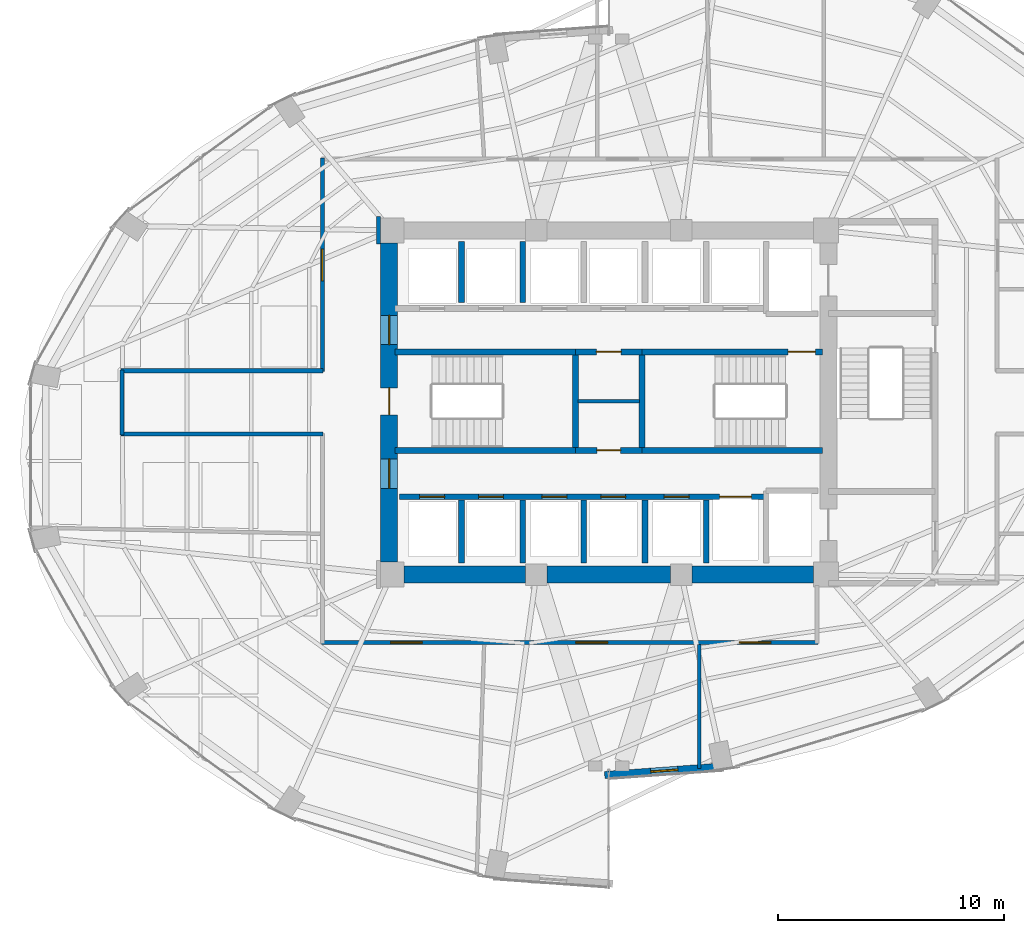
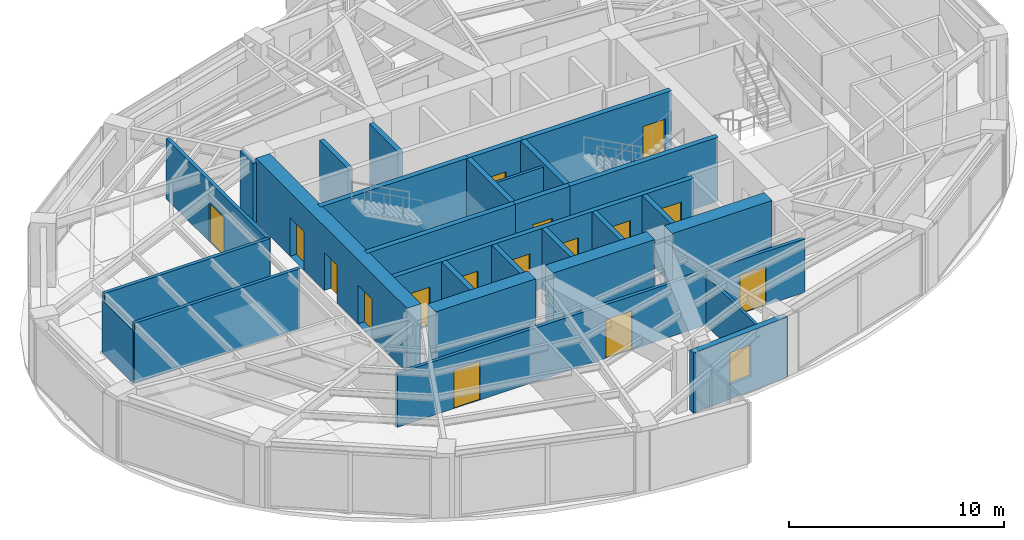
# One storey, part 20 of 24: 29 walls, 16 doors, 1 window, 17 openings.
"""IFC4 building model written with IfcOpenShell, lengths in metres."""

from ifc_helpers import new_model, si_unit, direction, frame, frame_2d, origin, place, context, subcontext, project, spatial, rectangle, extrude, material, layer, layer_set, type_object, element, fill, save


model = new_model("IFC4")

# Units and contexts
model_context = context("Model", 3, precision=1e-05, world=origin(), true_north=direction((0.0, 1.0)))
body_context = subcontext(model_context, "Body", "Model", "MODEL_VIEW")
ifc_project = project(units=[si_unit("LENGTHUNIT", "METRE"), si_unit("AREAUNIT", "SQUARE_METRE"), si_unit("VOLUMEUNIT", "CUBIC_METRE"), si_unit("PLANEANGLEUNIT", "RADIAN"), si_unit("MASSUNIT", "GRAM", prefix="KILO")], contexts=[model_context])

# Site, building, storey
site_placement = place(None, origin())
site = spatial("IfcSite", under=ifc_project, at=site_placement, CompositionType="ELEMENT")
building_placement = place(site_placement, origin())
building = spatial("IfcBuilding", under=site, at=building_placement, Name="Lazwardi Medical Tower", CompositionType="ELEMENT")
storey_placement = place(building_placement, frame((0.0, 0.0, 103.632080078125)))
storey = spatial("IfcBuildingStorey", under=building, at=storey_placement, Name="L26", CompositionType="ELEMENT", Elevation=103.632080078125)

# Walls
ifc_material_1 = material(Name="Fire-rated gypsum board on steel stud", Category="steel")
ifc_layer_1 = layer(ifc_material_1, 0.179931640625)
ifc_layer_set_1 = layer_set([ifc_layer_1], Name="Fire-rated gypsum board on steel stud")
wall_type_1 = type_object("IfcWallType", Name="WL-COR-180", PredefinedType="PARTITIONING", material=ifc_layer_set_1)
wall_1_placement = place(storey_placement, frame((14.5, 26.56005859375, 0.0), z_axis=(0.0, 0.0, 1.0), x_axis=(0.0, 1.0, 0.0)))
element("IfcWall", 1, at=wall_1_placement, inside=storey, type_object=wall_type_1, Name="L26 Corridor partition 1", PredefinedType="PARTITIONING", context=body_context, shape_type="SweptSolid", body=[
    extrude(rectangle(XDim=2.8798828125, YDim=0.179931640625, at=frame_2d((1.43994140625, 0.0))), origin(), (0.0, 0.0, 1.0), 3.012939453125),
])
wall_2_placement = place(storey_placement, frame((14.4599609375, 29.39990234375, 0.0), z_axis=(0.0, 0.0, 1.0), x_axis=(1.0, 0.0, 0.0)))
element("IfcWall", 2, at=wall_2_placement, inside=storey, type_object=wall_type_1, Name="L26 Corridor partition 2", PredefinedType="PARTITIONING", context=body_context, shape_type="SweptSolid", body=[
    extrude(rectangle(XDim=8.929931640625, YDim=0.179931640625, at=frame_2d((4.46484375, 0.0))), origin(), (0.0, 0.0, 1.0), 3.427978515625),
])

# Wall, opening, door
wall_3_placement = place(storey_placement, frame((23.35009765625, 29.360107421875, 0.0), z_axis=(0.0, 0.0, 1.0), x_axis=(0.0, 1.0, 0.0)))
wall_3 = element("IfcWall", 3, at=wall_3_placement, inside=storey, type_object=wall_type_1, Name="L26 Corridor partition 3", PredefinedType="PARTITIONING", context=body_context, shape_type="SweptSolid", body=[
    extrude(rectangle(XDim=9.429931640625, YDim=0.179931640625, at=frame_2d((4.71484375, 0.0))), origin(), (0.0, 0.0, 1.0), 3.427978515625),
])
opening_1_placement = place(wall_3_placement, frame((4.014892578125, 0.0, 0.0)))
opening_1 = element("IfcOpeningElement", 4, at=opening_1_placement, cuts=wall_3, Name="Opening D-L26-016", PredefinedType="OPENING", context=body_context, shape_type="SweptSolid", body=[
    extrude(rectangle(XDim=1.39990234375, YDim=2.199951171875, at=frame_2d((0.699951171875, 1.10009765625))), frame((0.0, 0.099853515625, 0.0), z_axis=(0.0, -1.0, 0.0), x_axis=(1.0, 0.0, 0.0)), (0.0, 0.0, 1.0), 0.199951171875),
])
ifc_material_2 = material(Name="Anti-microbial laminate hospital leaf")
door_type_1 = type_object("IfcDoorType", Name="DR-BED-1400", OperationType="NOTDEFINED", PredefinedType="DOOR", material=ifc_material_2)
door_1_placement = place(opening_1_placement, origin())
door_1 = element("IfcDoor", 5, at=door_1_placement, inside=storey, type_object=door_type_1, Name="L26 Patient Day Lounge Door 10", OperationType="SINGLE_SWING_RIGHT", OverallHeight=2.199951171875, OverallWidth=1.39990234375, PredefinedType="DOOR", context=body_context, shape_type="SweptSolid", body=[
    extrude(rectangle(XDim=1.39990234375, YDim=2.199951171875, at=frame_2d((0.699951171875, 1.10009765625))), frame((0.0, 0.02490234375, 0.0), z_axis=(0.0, -1.0, 0.0), x_axis=(1.0, 0.0, 0.0)), (0.0, 0.0, 1.0), 0.050048828125),
])
fill(opening_1, door_1)

# Wall
wall_4_placement = place(storey_placement, frame((25.830078125, 36.2099609375, 0.0), z_axis=(0.0, 0.0, 1.0), x_axis=(0.0, -1.0, 0.0)))
element("IfcWall", 6, at=wall_4_placement, inside=storey, type_object=wall_type_1, Name="L26 Corridor partition 11", PredefinedType="PARTITIONING", context=body_context, shape_type="SweptSolid", body=[
    extrude(rectangle(XDim=1.219970703125, YDim=0.179931640625, at=frame_2d((0.60986328125, 0.0))), origin(), (0.0, 0.0, 1.0), 3.427978515625),
])

# Wall, openings, doors
wall_5_placement = place(storey_placement, frame((45.239990234375, 17.39990234375, 0.0), z_axis=(0.0, 0.0, 1.0), x_axis=(-1.0, 0.0, 0.0)))
wall_5 = element("IfcWall", 7, at=wall_5_placement, inside=storey, type_object=wall_type_1, Name="L26 Corridor partition 14", PredefinedType="PARTITIONING", context=body_context, shape_type="SweptSolid", body=[
    extrude(rectangle(XDim=21.929931640625, YDim=0.179931640625, at=frame_2d((10.96484375, 0.0))), origin(), (0.0, 0.0, 1.0), 3.052978515625),
])
opening_2_placement = place(wall_5_placement, frame((17.477294921875, 0.0, 0.0)))
opening_2 = element("IfcOpeningElement", 8, at=opening_2_placement, cuts=wall_5, Name="Opening D-L26-007", PredefinedType="OPENING", context=body_context, shape_type="SweptSolid", body=[
    extrude(rectangle(XDim=1.39990234375, YDim=2.199951171875, at=frame_2d((0.699951171875, 1.10009765625))), frame((0.0, 0.099853515625, 0.0), z_axis=(0.0, -1.0, 0.0), x_axis=(1.0, 0.0, 0.0)), (0.0, 0.0, 1.0), 0.199951171875),
])
opening_3_placement = place(wall_5_placement, frame((9.291259765625, 0.0, 0.0)))
opening_3 = element("IfcOpeningElement", 9, at=opening_3_placement, cuts=wall_5, Name="Opening D-L26-008", PredefinedType="OPENING", context=body_context, shape_type="SweptSolid", body=[
    extrude(rectangle(XDim=1.39990234375, YDim=2.199951171875, at=frame_2d((0.699951171875, 1.10009765625))), frame((0.0, 0.099853515625, 0.0), z_axis=(0.0, -1.0, 0.0), x_axis=(1.0, 0.0, 0.0)), (0.0, 0.0, 1.0), 0.199951171875),
])
opening_4_placement = place(wall_5_placement, frame((2.0791015625, 0.0, 0.0)))
opening_4 = element("IfcOpeningElement", 10, at=opening_4_placement, cuts=wall_5, Name="Opening D-L26-009", PredefinedType="OPENING", context=body_context, shape_type="SweptSolid", body=[
    extrude(rectangle(XDim=1.39990234375, YDim=2.199951171875, at=frame_2d((0.699951171875, 1.10009765625))), frame((0.0, 0.099853515625, 0.0), z_axis=(0.0, -1.0, 0.0), x_axis=(1.0, 0.0, 0.0)), (0.0, 0.0, 1.0), 0.199951171875),
])
door_2_placement = place(opening_2_placement, origin())
door_2 = element("IfcDoor", 11, at=door_2_placement, inside=storey, type_object=door_type_1, Name="L26 Patient Day Lounge Door 01", OperationType="SINGLE_SWING_LEFT", OverallHeight=2.199951171875, OverallWidth=1.39990234375, PredefinedType="DOOR", context=body_context, shape_type="SweptSolid", body=[
    extrude(rectangle(XDim=1.39990234375, YDim=2.199951171875, at=frame_2d((0.699951171875, 1.10009765625))), frame((0.0, 0.02490234375, 0.0), z_axis=(0.0, -1.0, 0.0), x_axis=(1.0, 0.0, 0.0)), (0.0, 0.0, 1.0), 0.050048828125),
])
fill(opening_2, door_2)
door_3_placement = place(opening_3_placement, origin())
door_3 = element("IfcDoor", 12, at=door_3_placement, inside=storey, type_object=door_type_1, Name="L26 Rehabilitation Gymnasium Door 02", OperationType="SINGLE_SWING_RIGHT", OverallHeight=2.199951171875, OverallWidth=1.39990234375, PredefinedType="DOOR", context=body_context, shape_type="SweptSolid", body=[
    extrude(rectangle(XDim=1.39990234375, YDim=2.199951171875, at=frame_2d((0.699951171875, 1.10009765625))), frame((0.0, 0.02490234375, 0.0), z_axis=(0.0, -1.0, 0.0), x_axis=(1.0, 0.0, 0.0)), (0.0, 0.0, 1.0), 0.050048828125),
])
fill(opening_3, door_3)
door_4_placement = place(opening_4_placement, origin())
door_4 = element("IfcDoor", 13, at=door_4_placement, inside=storey, type_object=door_type_1, Name="L26 Department Reception Foyer Door 03", OperationType="SINGLE_SWING_LEFT", OverallHeight=2.199951171875, OverallWidth=1.39990234375, PredefinedType="DOOR", context=body_context, shape_type="SweptSolid", body=[
    extrude(rectangle(XDim=1.39990234375, YDim=2.199951171875, at=frame_2d((0.699951171875, 1.10009765625))), frame((0.0, 0.02490234375, 0.0), z_axis=(0.0, -1.0, 0.0), x_axis=(1.0, 0.0, 0.0)), (0.0, 0.0, 1.0), 0.050048828125),
])
fill(opening_4, door_4)

# Wall
wall_6_placement = place(storey_placement, frame((23.389892578125, 26.60009765625, 0.0), z_axis=(0.0, 0.0, 1.0), x_axis=(-1.0, 0.0, 0.0)))
element("IfcWall", 14, at=wall_6_placement, inside=storey, type_object=wall_type_1, Name="L26 Corridor partition 16", PredefinedType="PARTITIONING", context=body_context, shape_type="SweptSolid", body=[
    extrude(rectangle(XDim=8.929931640625, YDim=0.179931640625, at=frame_2d((4.46484375, 0.0))), origin(), (0.0, 0.0, 1.0), 3.427978515625),
])

# Wall, openings, doors
ifc_material_3 = material(Name="Concrete C70/85", Category="concrete")
ifc_layer_2 = layer(ifc_material_3, 0.75)
ifc_layer_set_2 = layer_set([ifc_layer_2], Name="Concrete C70/85")
wall_type_2 = type_object("IfcWallType", Name="WL-CORE-750", PredefinedType="SHEAR", material=ifc_layer_set_2)
wall_7_placement = place(storey_placement, frame((26.300048828125, 20.949951171875, 0.0), z_axis=(0.0, 0.0, 1.0), x_axis=(0.0, 1.0, 0.0)))
wall_7 = element("IfcWall", 15, at=wall_7_placement, inside=storey, type_object=wall_type_2, Name="Core wall CW-S2 west L26", PredefinedType="SHEAR", context=body_context, shape_type="SweptSolid", body=[
    extrude(rectangle(XDim=14.10009765625, YDim=0.75, at=frame_2d((7.050048828125, 0.0))), origin(), (0.0, 0.0, 1.0), 3.64794921875),
])
opening_5_placement = place(wall_7_placement, frame((6.5, 0.0, 0.0)))
opening_5 = element("IfcOpeningElement", 16, at=opening_5_placement, cuts=wall_7, Name="Opening D-L26-017", PredefinedType="OPENING", context=body_context, shape_type="SweptSolid", body=[
    extrude(rectangle(XDim=1.199951171875, YDim=2.14990234375, at=frame_2d((0.60009765625, 1.074951171875))), frame((0.0, 0.385009765625, 0.0), z_axis=(0.0, -1.0, 0.0), x_axis=(1.0, 0.0, 0.0)), (0.0, 0.0, 1.0), 0.77001953125),
])
opening_6_placement = place(wall_7_placement, frame((9.60009765625, 0.0, 0.0)))
opening_6 = element("IfcOpeningElement", 17, at=opening_6_placement, cuts=wall_7, Name="Opening D-L26-005", PredefinedType="OPENING", context=body_context, shape_type="SweptSolid", body=[
    extrude(rectangle(XDim=1.300048828125, YDim=2.199951171875, at=frame_2d((0.64990234375, 1.10009765625))), frame((0.0, 0.385009765625, 0.0), z_axis=(0.0, -1.0, 0.0), x_axis=(1.0, 0.0, 0.0)), (0.0, 0.0, 1.0), 0.77001953125),
])
opening_7_placement = place(wall_7_placement, frame((3.260009765625, 0.0, 0.0)))
opening_7 = element("IfcOpeningElement", 18, at=opening_7_placement, cuts=wall_7, Name="Opening D-L26-006", PredefinedType="OPENING", context=body_context, shape_type="SweptSolid", body=[
    extrude(rectangle(XDim=1.300048828125, YDim=2.199951171875, at=frame_2d((0.64990234375, 1.10009765625))), frame((0.0, 0.385009765625, 0.0), z_axis=(0.0, -1.0, 0.0), x_axis=(1.0, 0.0, 0.0)), (0.0, 0.0, 1.0), 0.77001953125),
])
ifc_material_4 = material(Name="Fire-rated steel leaf and frame", Category="steel")
door_type_2 = type_object("IfcDoorType", Name="DR-FFL-1300", OperationType="NOTDEFINED", PredefinedType="DOOR", material=ifc_material_4)
door_5_placement = place(opening_6_placement, origin())
door_5 = element("IfcDoor", 19, at=door_5_placement, inside=storey, type_object=door_type_2, Name="L26 North Lift Lobby Door", OperationType="SINGLE_SWING_RIGHT", OverallHeight=2.199951171875, OverallWidth=1.300048828125, PredefinedType="DOOR", context=body_context, shape_type="SweptSolid", body=[
    extrude(rectangle(XDim=1.300048828125, YDim=2.199951171875, at=frame_2d((0.64990234375, 1.10009765625))), frame((0.0, 0.02490234375, 0.0), z_axis=(0.0, -1.0, 0.0), x_axis=(1.0, 0.0, 0.0)), (0.0, 0.0, 1.0), 0.050048828125),
])
fill(opening_6, door_5)
door_6_placement = place(opening_7_placement, origin())
door_6 = element("IfcDoor", 20, at=door_6_placement, inside=storey, type_object=door_type_2, Name="L26 South Lift Lobby Door", OperationType="SINGLE_SWING_LEFT", OverallHeight=2.199951171875, OverallWidth=1.300048828125, PredefinedType="DOOR", context=body_context, shape_type="SweptSolid", body=[
    extrude(rectangle(XDim=1.300048828125, YDim=2.199951171875, at=frame_2d((0.64990234375, 1.10009765625))), frame((0.0, 0.02490234375, 0.0), z_axis=(0.0, -1.0, 0.0), x_axis=(1.0, 0.0, 0.0)), (0.0, 0.0, 1.0), 0.050048828125),
])
fill(opening_7, door_6)
door_type_3 = type_object("IfcDoorType", Name="DR-STR-1200", OperationType="NOTDEFINED", PredefinedType="DOOR", material=ifc_material_4)
door_7_placement = place(opening_5_placement, origin())
door_7 = element("IfcDoor", 21, at=door_7_placement, inside=storey, type_object=door_type_3, Name="L26 Exit Stair ST1 Door", OperationType="SINGLE_SWING_RIGHT", OverallHeight=2.14990234375, OverallWidth=1.199951171875, PredefinedType="DOOR", context=body_context, shape_type="SweptSolid", body=[
    extrude(rectangle(XDim=1.199951171875, YDim=2.14990234375, at=frame_2d((0.60009765625, 1.074951171875))), frame((0.0, 0.02490234375, 0.0), z_axis=(0.0, -1.0, 0.0), x_axis=(1.0, 0.0, 0.0)), (0.0, 0.0, 1.0), 0.050048828125),
])
fill(opening_5, door_7)

# Walls
wall_8_placement = place(storey_placement, frame((26.949951171875, 20.39990234375, 0.0), z_axis=(0.0, 0.0, 1.0), x_axis=(1.0, 0.0, 0.0)))
element("IfcWall", 22, at=wall_8_placement, inside=storey, type_object=wall_type_2, Name="Core wall CW-S2 S1 L26", PredefinedType="SHEAR", context=body_context, shape_type="SweptSolid", body=[
    extrude(rectangle(XDim=5.375, YDim=0.75, at=frame_2d((2.6875, 0.0))), origin(), (0.0, 0.0, 1.0), 3.64794921875),
])
wall_9_placement = place(storey_placement, frame((33.27490234375, 20.39990234375, 0.0), z_axis=(0.0, 0.0, 1.0), x_axis=(1.0, 0.0, 0.0)))
element("IfcWall", 23, at=wall_9_placement, inside=storey, type_object=wall_type_2, Name="Core wall CW-S2 S2 L26", PredefinedType="SHEAR", context=body_context, shape_type="SweptSolid", body=[
    extrude(rectangle(XDim=5.4501953125, YDim=0.75, at=frame_2d((2.72509765625, 0.0))), origin(), (0.0, 0.0, 1.0), 3.64794921875),
])
wall_10_placement = place(storey_placement, frame((39.675048828125, 20.39990234375, 0.0), z_axis=(0.0, 0.0, 1.0), x_axis=(1.0, 0.0, 0.0)))
element("IfcWall", 24, at=wall_10_placement, inside=storey, type_object=wall_type_2, Name="Core wall CW-S2 S3 L26", PredefinedType="SHEAR", context=body_context, shape_type="SweptSolid", body=[
    extrude(rectangle(XDim=5.375, YDim=0.75, at=frame_2d((2.6875, 0.0))), origin(), (0.0, 0.0, 1.0), 3.64794921875),
])

# Wall, opening, window
ifc_material_5 = material(Name="Precast concrete C45/55", Category="concrete")
ifc_layer_3 = layer(ifc_material_5, 0.320068359375)
ifc_layer_set_3 = layer_set([ifc_layer_3], Name="Precast concrete C45/55")
wall_type_3 = type_object("IfcWallType", Name="WL-IWAN-320", PredefinedType="SOLIDWALL", material=ifc_layer_set_3)
wall_11_placement = place(storey_placement, frame((35.820556640625, 11.547119140625, 0.0), z_axis=(0.0, 0.0, 1.0), x_axis=(0.997432364291, 0.071614793619, 0.0)))
wall_11 = element("IfcWall", 25, at=wall_11_placement, inside=storey, type_object=wall_type_3, Name="L26 Iwan Portal Return Wall SE_ret", PredefinedType="SOLIDWALL", context=body_context, shape_type="SweptSolid", body=[
    extrude(rectangle(XDim=5.2841796875, YDim=0.320068359375, at=frame_2d((2.64208984375, 0.0))), origin(), (0.0, 0.0, 1.0), 3.427978515625),
])
opening_8_placement = place(wall_11_placement, frame((2.0419921875, 0.0, 0.85009765625)))
opening_8 = element("IfcOpeningElement", 26, at=opening_8_placement, cuts=wall_11, Name="Opening WN-04", PredefinedType="OPENING", context=body_context, shape_type="SweptSolid", body=[
    extrude(rectangle(XDim=1.199951171875, YDim=1.800048828125, at=frame_2d((0.60009765625, 0.89990234375))), frame((0.0, 0.169921875, 0.0), z_axis=(0.0, -1.0, 0.0), x_axis=(1.0, 0.0, 0.0)), (0.0, 0.0, 1.0), 0.340087890625),
])
ifc_material_6 = material(Name="Low-e bronze solar control double glazing", Category="glass")
window_type = type_object("IfcWindowType", Name="WIN-DRUM-1200", PartitioningType="SINGLE_PANEL", PredefinedType="WINDOW", material=ifc_material_6)
window_placement = place(opening_8_placement, origin())
window = element("IfcWindow", 27, at=window_placement, inside=storey, type_object=window_type, Name="L26 Iwan Slot Window SE_ret", OverallHeight=1.800048828125, OverallWidth=1.199951171875, PartitioningType="SINGLE_PANEL", PredefinedType="WINDOW", context=body_context, shape_type="SweptSolid", body=[
    extrude(rectangle(XDim=1.199951171875, YDim=1.800048828125, at=frame_2d((0.60009765625, 0.89990234375))), frame((0.0, 0.030029296875, 0.0), z_axis=(0.0, -1.0, 0.0), x_axis=(1.0, 0.0, 0.0)), (0.0, 0.0, 1.0), 0.06005859375),
])
fill(opening_8, window)

# Wall, openings, doors
ifc_material_7 = material(Name="Autoclaved aerated concrete blockwork", Category="masonry")
ifc_layer_4 = layer(ifc_material_7, 0.25)
ifc_layer_set_4 = layer_set([ifc_layer_4], Name="Autoclaved aerated concrete blockwork")
wall_type_4 = type_object("IfcWallType", Name="WL-SHAFT-250", PredefinedType="SOLIDWALL", material=ifc_layer_set_4)
wall_12_placement = place(storey_placement, frame((26.75, 23.830078125, 0.0), z_axis=(0.0, 0.0, 1.0), x_axis=(1.0, 0.0, 0.0)))
wall_12 = element("IfcWall", 28, at=wall_12_placement, inside=storey, type_object=wall_type_4, Name="L26 South lift bank front wall", PredefinedType="SOLIDWALL", context=body_context, shape_type="SweptSolid", body=[
    extrude(rectangle(XDim=16.199951171875, YDim=0.25, at=frame_2d((8.10009765625, 0.0))), origin(), (0.0, 0.0, 1.0), 3.427978515625),
])
opening_9_placement = place(wall_12_placement, frame((0.89990234375, 0.0, 0.0)))
opening_9 = element("IfcOpeningElement", 29, at=opening_9_placement, cuts=wall_12, Name="Opening LD-L26-006", PredefinedType="OPENING", context=body_context, shape_type="SweptSolid", body=[
    extrude(rectangle(XDim=1.10009765625, YDim=2.199951171875, at=frame_2d((0.550048828125, 1.10009765625))), frame((0.0, 0.135009765625, 0.0), z_axis=(0.0, -1.0, 0.0), x_axis=(1.0, 0.0, 0.0)), (0.0, 0.0, 1.0), 0.27001953125),
])
opening_10_placement = place(wall_12_placement, frame((3.5, 0.0, 0.0)))
opening_10 = element("IfcOpeningElement", 30, at=opening_10_placement, cuts=wall_12, Name="Opening LD-L26-007", PredefinedType="OPENING", context=body_context, shape_type="SweptSolid", body=[
    extrude(rectangle(XDim=1.10009765625, YDim=2.199951171875, at=frame_2d((0.550048828125, 1.10009765625))), frame((0.0, 0.135009765625, 0.0), z_axis=(0.0, -1.0, 0.0), x_axis=(1.0, 0.0, 0.0)), (0.0, 0.0, 1.0), 0.27001953125),
])
opening_11_placement = place(wall_12_placement, frame((6.300048828125, 0.0, 0.0)))
opening_11 = element("IfcOpeningElement", 31, at=opening_11_placement, cuts=wall_12, Name="Opening LD-L26-010", PredefinedType="OPENING", context=body_context, shape_type="SweptSolid", body=[
    extrude(rectangle(XDim=1.10009765625, YDim=2.199951171875, at=frame_2d((0.550048828125, 1.10009765625))), frame((0.0, 0.135009765625, 0.0), z_axis=(0.0, -1.0, 0.0), x_axis=(1.0, 0.0, 0.0)), (0.0, 0.0, 1.0), 0.27001953125),
])
opening_12_placement = place(wall_12_placement, frame((8.89990234375, 0.0, 0.0)))
opening_12 = element("IfcOpeningElement", 32, at=opening_12_placement, cuts=wall_12, Name="Opening LD-L26-011", PredefinedType="OPENING", context=body_context, shape_type="SweptSolid", body=[
    extrude(rectangle(XDim=1.10009765625, YDim=2.199951171875, at=frame_2d((0.550048828125, 1.10009765625))), frame((0.0, 0.135009765625, 0.0), z_axis=(0.0, -1.0, 0.0), x_axis=(1.0, 0.0, 0.0)), (0.0, 0.0, 1.0), 0.27001953125),
])
opening_13_placement = place(wall_12_placement, frame((11.699951171875, 0.0, 0.0)))
opening_13 = element("IfcOpeningElement", 33, at=opening_13_placement, cuts=wall_12, Name="Opening LD-L26-014", PredefinedType="OPENING", context=body_context, shape_type="SweptSolid", body=[
    extrude(rectangle(XDim=1.10009765625, YDim=2.199951171875, at=frame_2d((0.550048828125, 1.10009765625))), frame((0.0, 0.135009765625, 0.0), z_axis=(0.0, -1.0, 0.0), x_axis=(1.0, 0.0, 0.0)), (0.0, 0.0, 1.0), 0.27001953125),
])
opening_14_placement = place(wall_12_placement, frame((14.14990234375, 0.0, 0.0)))
opening_14 = element("IfcOpeningElement", 34, at=opening_14_placement, cuts=wall_12, Name="Opening LD-L26-003", PredefinedType="OPENING", context=body_context, shape_type="SweptSolid", body=[
    extrude(rectangle(XDim=1.39990234375, YDim=2.300048828125, at=frame_2d((0.699951171875, 1.14990234375))), frame((0.0, 0.135009765625, 0.0), z_axis=(0.0, -1.0, 0.0), x_axis=(1.0, 0.0, 0.0)), (0.0, 0.0, 1.0), 0.27001953125),
])
ifc_material_8 = material(Name="Brushed bronze stainless steel landing door", Category="steel")
door_type_4 = type_object("IfcDoorType", Name="DR-LFT-1100", OperationType="NOTDEFINED", PredefinedType="DOOR", material=ifc_material_8)
door_8_placement = place(opening_9_placement, origin())
door_8 = element("IfcDoor", 35, at=door_8_placement, inside=storey, type_object=door_type_4, Name="L26 Lift Landing Door PL-03", OperationType="SLIDING_TO_LEFT", OverallHeight=2.199951171875, OverallWidth=1.10009765625, PredefinedType="DOOR", context=body_context, shape_type="SweptSolid", body=[
    extrude(rectangle(XDim=1.10009765625, YDim=2.199951171875, at=frame_2d((0.550048828125, 1.10009765625))), frame((0.0, 0.02490234375, 0.0), z_axis=(0.0, -1.0, 0.0), x_axis=(1.0, 0.0, 0.0)), (0.0, 0.0, 1.0), 0.050048828125),
])
fill(opening_9, door_8)
door_9_placement = place(opening_10_placement, origin())
door_9 = element("IfcDoor", 36, at=door_9_placement, inside=storey, type_object=door_type_4, Name="L26 Lift Landing Door PL-04", OperationType="SLIDING_TO_LEFT", OverallHeight=2.199951171875, OverallWidth=1.10009765625, PredefinedType="DOOR", context=body_context, shape_type="SweptSolid", body=[
    extrude(rectangle(XDim=1.10009765625, YDim=2.199951171875, at=frame_2d((0.550048828125, 1.10009765625))), frame((0.0, 0.02490234375, 0.0), z_axis=(0.0, -1.0, 0.0), x_axis=(1.0, 0.0, 0.0)), (0.0, 0.0, 1.0), 0.050048828125),
])
fill(opening_10, door_9)
door_10_placement = place(opening_11_placement, origin())
door_10 = element("IfcDoor", 37, at=door_10_placement, inside=storey, type_object=door_type_4, Name="L26 Lift Landing Door PL-07", OperationType="SLIDING_TO_LEFT", OverallHeight=2.199951171875, OverallWidth=1.10009765625, PredefinedType="DOOR", context=body_context, shape_type="SweptSolid", body=[
    extrude(rectangle(XDim=1.10009765625, YDim=2.199951171875, at=frame_2d((0.550048828125, 1.10009765625))), frame((0.0, 0.02490234375, 0.0), z_axis=(0.0, -1.0, 0.0), x_axis=(1.0, 0.0, 0.0)), (0.0, 0.0, 1.0), 0.050048828125),
])
fill(opening_11, door_10)
door_11_placement = place(opening_12_placement, origin())
door_11 = element("IfcDoor", 38, at=door_11_placement, inside=storey, type_object=door_type_4, Name="L26 Lift Landing Door PL-08", OperationType="SLIDING_TO_LEFT", OverallHeight=2.199951171875, OverallWidth=1.10009765625, PredefinedType="DOOR", context=body_context, shape_type="SweptSolid", body=[
    extrude(rectangle(XDim=1.10009765625, YDim=2.199951171875, at=frame_2d((0.550048828125, 1.10009765625))), frame((0.0, 0.02490234375, 0.0), z_axis=(0.0, -1.0, 0.0), x_axis=(1.0, 0.0, 0.0)), (0.0, 0.0, 1.0), 0.050048828125),
])
fill(opening_12, door_11)
door_12_placement = place(opening_13_placement, origin())
door_12 = element("IfcDoor", 39, at=door_12_placement, inside=storey, type_object=door_type_4, Name="L26 Lift Landing Door PL-11", OperationType="SLIDING_TO_LEFT", OverallHeight=2.199951171875, OverallWidth=1.10009765625, PredefinedType="DOOR", context=body_context, shape_type="SweptSolid", body=[
    extrude(rectangle(XDim=1.10009765625, YDim=2.199951171875, at=frame_2d((0.550048828125, 1.10009765625))), frame((0.0, 0.02490234375, 0.0), z_axis=(0.0, -1.0, 0.0), x_axis=(1.0, 0.0, 0.0)), (0.0, 0.0, 1.0), 0.050048828125),
])
fill(opening_13, door_12)
ifc_material_9 = material(Name="Brushed stainless steel bed-lift landing door", Category="steel")
door_type_5 = type_object("IfcDoorType", Name="DR-LFT-1400", OperationType="NOTDEFINED", PredefinedType="DOOR", material=ifc_material_9)
door_13_placement = place(opening_14_placement, origin())
door_13 = element("IfcDoor", 40, at=door_13_placement, inside=storey, type_object=door_type_5, Name="L26 Lift Landing Door FL-03", OperationType="SLIDING_TO_LEFT", OverallHeight=2.300048828125, OverallWidth=1.39990234375, PredefinedType="DOOR", context=body_context, shape_type="SweptSolid", body=[
    extrude(rectangle(XDim=1.39990234375, YDim=2.300048828125, at=frame_2d((0.699951171875, 1.14990234375))), frame((0.0, 0.02490234375, 0.0), z_axis=(0.0, -1.0, 0.0), x_axis=(1.0, 0.0, 0.0)), (0.0, 0.0, 1.0), 0.050048828125),
])
fill(opening_14, door_13)

# Walls
wall_13_placement = place(storey_placement, frame((29.5, 32.419921875, 0.0), z_axis=(0.0, 0.0, 1.0), x_axis=(0.0, 1.0, 0.0)))
element("IfcWall", 41, at=wall_13_placement, inside=storey, type_object=wall_type_4, Name="L26 North hoistway divider", PredefinedType="SOLIDWALL", context=body_context, shape_type="SweptSolid", body=[
    extrude(rectangle(XDim=2.68017578125, YDim=0.25, at=frame_2d((1.340087890625, 0.0))), origin(), (0.0, 0.0, 1.0), 3.427978515625),
])
wall_14_placement = place(storey_placement, frame((29.5, 20.89990234375, 0.0), z_axis=(0.0, 0.0, 1.0), x_axis=(0.0, 1.0, 0.0)))
element("IfcWall", 42, at=wall_14_placement, inside=storey, type_object=wall_type_4, Name="L26 South hoistway divider", PredefinedType="SOLIDWALL", context=body_context, shape_type="SweptSolid", body=[
    extrude(rectangle(XDim=2.800048828125, YDim=0.25, at=frame_2d((1.39990234375, 0.0))), origin(), (0.0, 0.0, 1.0), 3.427978515625),
])
wall_15_placement = place(storey_placement, frame((32.199951171875, 32.419921875, 0.0), z_axis=(0.0, 0.0, 1.0), x_axis=(0.0, 1.0, 0.0)))
element("IfcWall", 43, at=wall_15_placement, inside=storey, type_object=wall_type_4, Name="L26 North hoistway divider", PredefinedType="SOLIDWALL", context=body_context, shape_type="SweptSolid", body=[
    extrude(rectangle(XDim=2.68017578125, YDim=0.25, at=frame_2d((1.340087890625, 0.0))), origin(), (0.0, 0.0, 1.0), 3.427978515625),
])
for number, where, z_axis, x_axis, name in (
    (44, (32.199951171875, 20.89990234375, 0.0), (0.0, 0.0, 1.0), (0.0, 1.0, 0.0), "L26 South hoistway divider"),
    (45, (34.89990234375, 20.89990234375, 0.0), (0.0, 0.0, 1.0), (0.0, 1.0, 0.0), "L26 South hoistway divider"),
    (46, (37.60009765625, 20.89990234375, 0.0), (0.0, 0.0, 1.0), (0.0, 1.0, 0.0), "L26 South hoistway divider"),
    (47, (40.300048828125, 20.89990234375, 0.0), (0.0, 0.0, 1.0), (0.0, 1.0, 0.0), "L26 South hoistway divider"),
):
    element("IfcWall", number, at=place(storey_placement, frame(where, z_axis=z_axis, x_axis=x_axis)), inside=storey, type_object=wall_type_4, Name=name, PredefinedType="SOLIDWALL", context=body_context, shape_type="SweptSolid", body=[
        extrude(rectangle(XDim=2.800048828125, YDim=0.25, at=frame_2d((1.39990234375, 0.0))), origin(), (0.0, 0.0, 1.0), 3.427978515625),
    ])
ifc_material_10 = material(Name="Concrete C50/60", Category="concrete")
ifc_layer_5 = layer(ifc_material_10, 0.27001953125)
ifc_layer_set_5 = layer_set([ifc_layer_5], Name="Concrete C50/60")
wall_type_5 = type_object("IfcWallType", Name="WL-STR-250", PredefinedType="SHEAR", material=ifc_layer_set_5)
wall_16_placement = place(storey_placement, frame((26.550048828125, 30.235107421875, 0.0), z_axis=(0.0, 0.0, 1.0), x_axis=(1.0, 0.0, 0.0)))
element("IfcWall", 48, at=wall_16_placement, inside=storey, type_object=wall_type_5, Name="L26 ST1 North shear shaft wall SW-S1", PredefinedType="SHEAR", context=body_context, shape_type="SweptSolid", body=[
    extrude(rectangle(XDim=7.98486328125, YDim=0.27001953125, at=frame_2d((3.992431640625, 0.0))), origin(), (0.0, 0.0, 1.0), 3.64794921875),
])

# Wall, opening, door
wall_17_placement = place(storey_placement, frame((34.534912109375, 30.235107421875, 0.0), z_axis=(0.0, 0.0, 1.0), x_axis=(1.0, 0.0, 0.0)))
wall_17 = element("IfcWall", 49, at=wall_17_placement, inside=storey, type_object=wall_type_5, Name="L26 Core service North shear wall SW-S1", PredefinedType="SHEAR", context=body_context, shape_type="SweptSolid", body=[
    extrude(rectangle(XDim=2.93017578125, YDim=0.27001953125, at=frame_2d((1.465087890625, 0.0))), origin(), (0.0, 0.0, 1.0), 3.64794921875),
])
opening_15_placement = place(wall_17_placement, frame((0.9150390625, 0.0, 0.0)))
opening_15 = element("IfcOpeningElement", 50, at=opening_15_placement, cuts=wall_17, Name="Opening D-L26-002", PredefinedType="OPENING", context=body_context, shape_type="SweptSolid", body=[
    extrude(rectangle(XDim=1.10009765625, YDim=2.14990234375, at=frame_2d((0.550048828125, 1.074951171875))), frame((0.0, 0.14501953125, 0.0), z_axis=(0.0, -1.0, 0.0), x_axis=(1.0, 0.0, 0.0)), (0.0, 0.0, 1.0), 0.2900390625),
])
door_type_6 = type_object("IfcDoorType", Name="DR-PLT-1100", OperationType="NOTDEFINED", PredefinedType="DOOR", material=ifc_material_4)
door_14_placement = place(opening_15_placement, origin())
door_14 = element("IfcDoor", 51, at=door_14_placement, inside=storey, type_object=door_type_6, Name="L26 Electrical Room Door", OperationType="SINGLE_SWING_LEFT", OverallHeight=2.14990234375, OverallWidth=1.10009765625, PredefinedType="DOOR", context=body_context, shape_type="SweptSolid", body=[
    extrude(rectangle(XDim=1.10009765625, YDim=2.14990234375, at=frame_2d((0.550048828125, 1.074951171875))), frame((0.0, 0.02490234375, 0.0), z_axis=(0.0, -1.0, 0.0), x_axis=(1.0, 0.0, 0.0)), (0.0, 0.0, 1.0), 0.050048828125),
])
fill(opening_15, door_14)

wall_18_placement = place(storey_placement, frame((37.465087890625, 30.235107421875, 0.0), z_axis=(0.0, 0.0, 1.0), x_axis=(1.0, 0.0, 0.0)))
wall_18 = element("IfcWall", 52, at=wall_18_placement, inside=storey, type_object=wall_type_5, Name="L26 ST2 North shear shaft wall SW-S1", PredefinedType="SHEAR", context=body_context, shape_type="SweptSolid", body=[
    extrude(rectangle(XDim=7.98486328125, YDim=0.27001953125, at=frame_2d((3.992431640625, 0.0))), origin(), (0.0, 0.0, 1.0), 3.64794921875),
])
opening_16_placement = place(wall_18_placement, frame((6.455078125, 0.0, 0.0)))
opening_16 = element("IfcOpeningElement", 53, at=opening_16_placement, cuts=wall_18, Name="Opening D-L26-018", PredefinedType="OPENING", context=body_context, shape_type="SweptSolid", body=[
    extrude(rectangle(XDim=1.199951171875, YDim=2.14990234375, at=frame_2d((0.60009765625, 1.074951171875))), frame((0.0, 0.14501953125, 0.0), z_axis=(0.0, -1.0, 0.0), x_axis=(1.0, 0.0, 0.0)), (0.0, 0.0, 1.0), 0.2900390625),
])
door_15_placement = place(opening_16_placement, origin())
door_15 = element("IfcDoor", 54, at=door_15_placement, inside=storey, type_object=door_type_3, Name="L26 Exit Stair ST2 Door", OperationType="SINGLE_SWING_LEFT", OverallHeight=2.14990234375, OverallWidth=1.199951171875, PredefinedType="DOOR", context=body_context, shape_type="SweptSolid", body=[
    extrude(rectangle(XDim=1.199951171875, YDim=2.14990234375, at=frame_2d((0.60009765625, 1.074951171875))), frame((0.0, 0.02490234375, 0.0), z_axis=(0.0, -1.0, 0.0), x_axis=(1.0, 0.0, 0.0)), (0.0, 0.0, 1.0), 0.050048828125),
])
fill(opening_16, door_15)

# Wall
wall_19_placement = place(storey_placement, frame((26.550048828125, 25.885009765625, 0.0), z_axis=(0.0, 0.0, 1.0), x_axis=(1.0, 0.0, 0.0)))
element("IfcWall", 55, at=wall_19_placement, inside=storey, type_object=wall_type_5, Name="L26 ST1 South shear shaft wall SW-S1", PredefinedType="SHEAR", context=body_context, shape_type="SweptSolid", body=[
    extrude(rectangle(XDim=7.98486328125, YDim=0.27001953125, at=frame_2d((3.992431640625, 0.0))), origin(), (0.0, 0.0, 1.0), 3.64794921875),
])

# Wall, opening, door
wall_20_placement = place(storey_placement, frame((34.534912109375, 25.885009765625, 0.0), z_axis=(0.0, 0.0, 1.0), x_axis=(1.0, 0.0, 0.0)))
wall_20 = element("IfcWall", 56, at=wall_20_placement, inside=storey, type_object=wall_type_5, Name="L26 Core service South shear wall SW-S1", PredefinedType="SHEAR", context=body_context, shape_type="SweptSolid", body=[
    extrude(rectangle(XDim=2.93017578125, YDim=0.27001953125, at=frame_2d((1.465087890625, 0.0))), origin(), (0.0, 0.0, 1.0), 3.64794921875),
])
opening_17_placement = place(wall_20_placement, frame((0.93994140625, 0.0, 0.0)))
opening_17 = element("IfcOpeningElement", 57, at=opening_17_placement, cuts=wall_20, Name="Opening D-L26-001", PredefinedType="OPENING", context=body_context, shape_type="SweptSolid", body=[
    extrude(rectangle(XDim=1.050048828125, YDim=2.14990234375, at=frame_2d((0.52490234375, 1.074951171875))), frame((0.0, 0.14501953125, 0.0), z_axis=(0.0, -1.0, 0.0), x_axis=(1.0, 0.0, 0.0)), (0.0, 0.0, 1.0), 0.2900390625),
])
door_type_7 = type_object("IfcDoorType", Name="DR-CLN-1050", OperationType="NOTDEFINED", PredefinedType="DOOR", material=ifc_material_2)
door_16_placement = place(opening_17_placement, origin())
door_16 = element("IfcDoor", 58, at=door_16_placement, inside=storey, type_object=door_type_7, Name="L26 Dirty Sluice Door", OperationType="SINGLE_SWING_RIGHT", OverallHeight=2.14990234375, OverallWidth=1.050048828125, PredefinedType="DOOR", context=body_context, shape_type="SweptSolid", body=[
    extrude(rectangle(XDim=1.050048828125, YDim=2.14990234375, at=frame_2d((0.52490234375, 1.074951171875))), frame((0.0, 0.02490234375, 0.0), z_axis=(0.0, -1.0, 0.0), x_axis=(1.0, 0.0, 0.0)), (0.0, 0.0, 1.0), 0.050048828125),
])
fill(opening_17, door_16)

# Walls
wall_21_placement = place(storey_placement, frame((37.465087890625, 25.885009765625, 0.0), z_axis=(0.0, 0.0, 1.0), x_axis=(1.0, 0.0, 0.0)))
element("IfcWall", 59, at=wall_21_placement, inside=storey, type_object=wall_type_5, Name="L26 ST2 South shear shaft wall SW-S1", PredefinedType="SHEAR", context=body_context, shape_type="SweptSolid", body=[
    extrude(rectangle(XDim=7.98486328125, YDim=0.27001953125, at=frame_2d((3.992431640625, 0.0))), origin(), (0.0, 0.0, 1.0), 3.64794921875),
])
for number, where, z_axis, x_axis, name in (
    (60, (34.534912109375, 26.02001953125, 0.0), (0.0, 0.0, 1.0), (0.0, 1.0, 0.0), "L26 ST1 East shear shaft wall SW-S1"),
    (61, (37.465087890625, 26.02001953125, 0.0), (0.0, 0.0, 1.0), (0.0, 1.0, 0.0), "L26 ST2 West shear shaft wall SW-S1"),
):
    element("IfcWall", number, at=place(storey_placement, frame(where, z_axis=z_axis, x_axis=x_axis)), inside=storey, type_object=wall_type_5, Name=name, PredefinedType="SHEAR", context=body_context, shape_type="SweptSolid", body=[
        extrude(rectangle(XDim=4.080078125, YDim=0.27001953125, at=frame_2d((2.0400390625, 0.0))), origin(), (0.0, 0.0, 1.0), 3.64794921875),
    ])
ifc_material_11 = material(Name="Acoustic gypsum board partition")
ifc_layer_6 = layer(ifc_material_11, 0.14990234375)
ifc_layer_set_6 = layer_set([ifc_layer_6], Name="Acoustic gypsum board partition")
wall_type_6 = type_object("IfcWallType", Name="WL-WRD-150", PredefinedType="PARTITIONING", material=ifc_layer_set_6)
wall_22_placement = place(storey_placement, frame((34.64990234375, 28.06005859375, 0.0), z_axis=(0.0, 0.0, 1.0), x_axis=(1.0, 0.0, 0.0)))
element("IfcWall", 62, at=wall_22_placement, inside=storey, type_object=wall_type_6, Name="L26 Core service divider", PredefinedType="PARTITIONING", context=body_context, shape_type="SweptSolid", body=[
    extrude(rectangle(XDim=2.7001953125, YDim=0.14990234375, at=frame_2d((1.35009765625, 0.0))), origin(), (0.0, 0.0, 1.0), 3.427978515625),
])
wall_23_placement = place(storey_placement, frame((40.0, 11.83740234375, 0.0), z_axis=(0.0, 0.0, 1.0), x_axis=(0.0, 1.0, 0.0)))
element("IfcWall", 63, at=wall_23_placement, inside=storey, type_object=wall_type_6, Name="L26 Room partition 10", PredefinedType="PARTITIONING", context=body_context, shape_type="SweptSolid", body=[
    extrude(rectangle(XDim=5.47265625, YDim=0.14990234375, at=frame_2d((2.736328125, 0.0))), origin(), (0.0, 0.0, 1.0), 2.81298828125),
])

save(model, "model.ifc")
